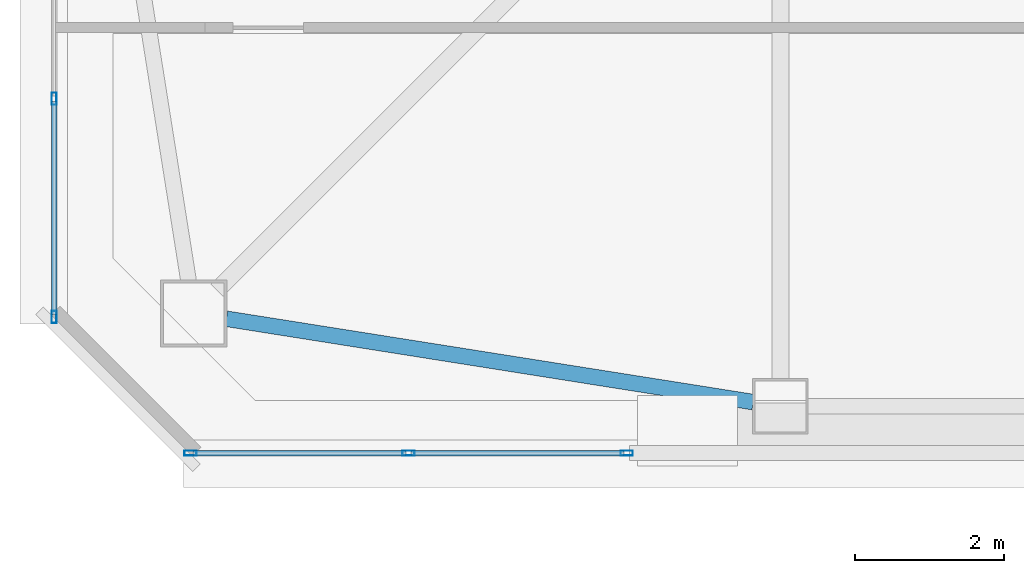
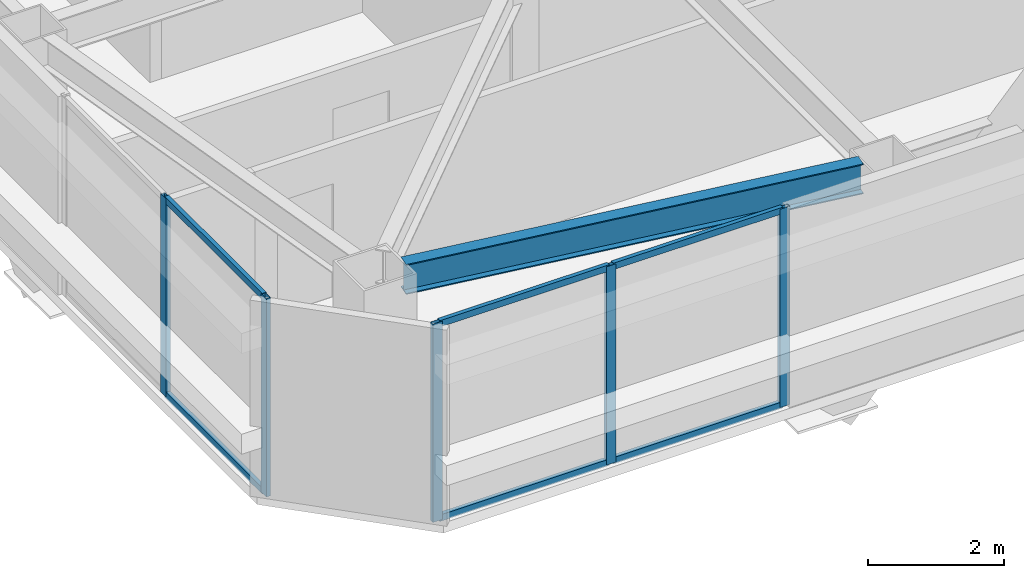
# One storey, part 2 of 24: 11 members, 1 beam, 2 elements without a shape of their own.
"""IFC4 building model written with IfcOpenShell, lengths in metres."""

from ifc_helpers import new_model, si_unit, direction, frame, origin, origin_2d, place, context, subcontext, project, spatial, hollow_rectangle, i_section, extrude, material, material_profile, profile_set, type_object, element, aggregate, save


model = new_model("IFC4")

# Units and contexts
model_context = context("Model", 3, precision=1e-05, world=origin(), true_north=direction((0.0, 1.0)))
body_context = subcontext(model_context, "Body", "Model", "MODEL_VIEW")
ifc_project = project(units=[si_unit("LENGTHUNIT", "METRE"), si_unit("AREAUNIT", "SQUARE_METRE"), si_unit("VOLUMEUNIT", "CUBIC_METRE"), si_unit("PLANEANGLEUNIT", "RADIAN"), si_unit("MASSUNIT", "GRAM", prefix="KILO")], contexts=[model_context])

# Site, building, storey
site_placement = place(None, origin())
site = spatial("IfcSite", under=ifc_project, at=site_placement, CompositionType="ELEMENT")
building_placement = place(site_placement, origin())
building = spatial("IfcBuilding", under=site, at=building_placement, Name="Tashvorn Skyway Center", CompositionType="ELEMENT")
storey_placement = place(building_placement, frame((0.0, 0.0, 270.5)))
storey = spatial("IfcBuildingStorey", under=building, at=storey_placement, Name="L73", CompositionType="ELEMENT", Elevation=270.5)

# Beam
ifc_material_1 = material(Name="Steel ASTM A992 Grade 50", Category="steel")
ifc_material_profile_1 = material_profile(ifc_material_1, i_section(OverallWidth=0.2109375, OverallDepth=0.5390625, WebThickness=0.01171875, FlangeThickness=0.018798828125, at=origin_2d()), Name="W21X73")
ifc_profile_set_1 = profile_set([ifc_material_profile_1], Name="Steel ASTM A992 Grade 50")
beam_type = type_object("IfcBeamType", Name="BM-SPANDREL-W21X73", PredefinedType="SPANDREL", material=ifc_profile_set_1)
beam_placement = place(storey_placement, frame((29.1396484375, 18.63037109375, 3.1005859375), z_axis=(0.987713587978, -0.156274976, 0.0), x_axis=(0.156274976, 0.987713587978, 0.0)))
element("IfcBeam", 1, at=beam_placement, inside=storey, type_object=beam_type, Name="Tower 1 L73 Spandrel Beam 01", PredefinedType="SPANDREL", context=body_context, shape_type="SweptSolid", body=[
    extrude(i_section(OverallWidth=0.2109375, OverallDepth=0.5390625, WebThickness=0.01171875, FlangeThickness=0.018798828125, at=origin_2d()), origin(), (0.0, 0.0, 1.0), 7.18310546875),
])

# Curtain wall, members
ifc_material_2 = material(Name="Thermally broken bronze-anodized aluminium 6063-T6", Category="aluminium")
curtain_wall_type = type_object("IfcCurtainWallType", Name="CW-CW-Z5", PredefinedType="NOTDEFINED", material=ifc_material_2)
curtain_wall_1_placement = place(storey_placement, origin())
curtain_wall_1 = element("IfcCurtainWall", 2, at=curtain_wall_1_placement, inside=storey, type_object=curtain_wall_type, Name="Tower 1 L73 South Unitised Curtain Wall Glazing Group 3", PredefinedType="NOTDEFINED")
ifc_material_profile_2 = material_profile(ifc_material_2, hollow_rectangle(XDim=0.070068359375, YDim=0.1650390625, WallThickness=0.00390625, at=origin_2d()), Name="ALU-MULL-70x165")
ifc_profile_set_2 = profile_set([ifc_material_profile_2], Name="Thermally broken bronze-anodized aluminium 6063-T6")
member_type_1 = type_object("IfcMemberType", Name="CWM-CW-Z5", PredefinedType="MULLION", material=ifc_profile_set_2)
member_1_placement = place(storey_placement, frame((34.53173828125, 16.820068359375, 0.0), z_axis=(0.0, 0.0, 1.0), x_axis=(0.0, -1.0, 0.0)))
member_1 = element("IfcMember", 3, at=member_1_placement, type_object=member_type_1, Name="CW-Z5 mullion 1", PredefinedType="MULLION", context=body_context, shape_type="SweptSolid", body=[
    extrude(hollow_rectangle(XDim=0.070068359375, YDim=0.1650390625, WallThickness=0.00390625, at=origin_2d()), origin(), (0.0, 0.0, 1.0), 3.550048828125),
])
member_2_placement = place(storey_placement, frame((31.59326171875, 16.820068359375, 0.0), z_axis=(0.0, 0.0, 1.0), x_axis=(0.0, -1.0, 0.0)))
member_2 = element("IfcMember", 4, at=member_2_placement, type_object=member_type_1, Name="CW-Z5 mullion 2", PredefinedType="MULLION", context=body_context, shape_type="SweptSolid", body=[
    extrude(hollow_rectangle(XDim=0.070068359375, YDim=0.1650390625, WallThickness=0.00390625, at=origin_2d()), origin(), (0.0, 0.0, 1.0), 3.550048828125),
])
member_3_placement = place(storey_placement, frame((28.655029296875, 16.820068359375, 0.0), z_axis=(0.0, 0.0, 1.0), x_axis=(0.0, -1.0, 0.0)))
member_3 = element("IfcMember", 5, at=member_3_placement, type_object=member_type_1, Name="CW-Z5 mullion 3", PredefinedType="MULLION", context=body_context, shape_type="SweptSolid", body=[
    extrude(hollow_rectangle(XDim=0.070068359375, YDim=0.1650390625, WallThickness=0.00390625, at=origin_2d()), origin(), (0.0, 0.0, 1.0), 3.550048828125),
])

curtain_wall_2_placement = place(storey_placement, origin())
curtain_wall_2 = element("IfcCurtainWall", 6, at=curtain_wall_2_placement, inside=storey, type_object=curtain_wall_type, Name="Tower 1 L73 West Unitised Curtain Wall Glazing Group 1", PredefinedType="NOTDEFINED")
member_4_placement = place(storey_placement, frame((26.820068359375, 18.655029296875, 0.0), z_axis=(0.0, 0.0, 1.0), x_axis=(-1.0, 0.0, 0.0)))
member_4 = element("IfcMember", 7, at=member_4_placement, type_object=member_type_1, Name="CW-Z5 mullion 1", PredefinedType="MULLION", context=body_context, shape_type="SweptSolid", body=[
    extrude(hollow_rectangle(XDim=0.070068359375, YDim=0.1650390625, WallThickness=0.00390625, at=origin_2d()), origin(), (0.0, 0.0, 1.0), 3.550048828125),
])
member_5_placement = place(storey_placement, frame((26.820068359375, 21.59326171875, 0.0), z_axis=(0.0, 0.0, 1.0), x_axis=(-1.0, 0.0, 0.0)))
member_5 = element("IfcMember", 8, at=member_5_placement, type_object=member_type_1, Name="CW-Z5 mullion 2", PredefinedType="MULLION", context=body_context, shape_type="SweptSolid", body=[
    extrude(hollow_rectangle(XDim=0.070068359375, YDim=0.1650390625, WallThickness=0.00390625, at=origin_2d()), origin(), (0.0, 0.0, 1.0), 3.550048828125),
])

# Member
ifc_material_profile_3 = material_profile(ifc_material_2, hollow_rectangle(XDim=0.070068359375, YDim=0.114990234375, WallThickness=0.00390625, at=origin_2d()), Name="ALU-TRAN-70x115")
ifc_profile_set_3 = profile_set([ifc_material_profile_3], Name="Thermally broken bronze-anodized aluminium 6063-T6")
member_type_2 = type_object("IfcMemberType", Name="CWT-CW-Z5", PredefinedType="USERDEFINED", material=ifc_profile_set_3)
member_6_placement = place(storey_placement, frame((34.49658203125, 16.820068359375, 0.034912109375), z_axis=(-1.0, 0.0, 0.0), x_axis=(0.0, -1.0, 0.0)))
member_6 = element("IfcMember", 9, at=member_6_placement, type_object=member_type_2, Name="CW-Z5 transom 1.1", ObjectType="TRANSOM", PredefinedType="USERDEFINED", context=body_context, shape_type="SweptSolid", body=[
    extrude(hollow_rectangle(XDim=0.070068359375, YDim=0.114990234375, WallThickness=0.00390625, at=origin_2d()), origin(), (0.0, 0.0, 1.0), 2.8681640625),
])

member_7_placement = place(storey_placement, frame((34.49658203125, 16.820068359375, 3.514892578125), z_axis=(-1.0, 0.0, 0.0), x_axis=(0.0, -1.0, 0.0)))
member_7 = element("IfcMember", 10, at=member_7_placement, type_object=member_type_2, Name="CW-Z5 transom 1.2", ObjectType="TRANSOM", PredefinedType="USERDEFINED", context=body_context, shape_type="SweptSolid", body=[
    extrude(hollow_rectangle(XDim=0.070068359375, YDim=0.114990234375, WallThickness=0.00390625, at=origin_2d()), origin(), (0.0, 0.0, 1.0), 2.8681640625),
])

member_8_placement = place(storey_placement, frame((31.558349609375, 16.820068359375, 0.034912109375), z_axis=(-1.0, 0.0, 0.0), x_axis=(0.0, -1.0, 0.0)))
member_8 = element("IfcMember", 11, at=member_8_placement, type_object=member_type_2, Name="CW-Z5 transom 2.1", ObjectType="TRANSOM", PredefinedType="USERDEFINED", context=body_context, shape_type="SweptSolid", body=[
    extrude(hollow_rectangle(XDim=0.070068359375, YDim=0.114990234375, WallThickness=0.00390625, at=origin_2d()), origin(), (0.0, 0.0, 1.0), 2.868408203125),
])

member_9_placement = place(storey_placement, frame((31.558349609375, 16.820068359375, 3.514892578125), z_axis=(-1.0, 0.0, 0.0), x_axis=(0.0, -1.0, 0.0)))
member_9 = element("IfcMember", 12, at=member_9_placement, type_object=member_type_2, Name="CW-Z5 transom 2.2", ObjectType="TRANSOM", PredefinedType="USERDEFINED", context=body_context, shape_type="SweptSolid", body=[
    extrude(hollow_rectangle(XDim=0.070068359375, YDim=0.114990234375, WallThickness=0.00390625, at=origin_2d()), origin(), (0.0, 0.0, 1.0), 2.868408203125),
])

aggregate(curtain_wall_1, [member_1, member_2, member_3, member_6, member_7, member_8, member_9])

member_10_placement = place(storey_placement, frame((26.820068359375, 18.68994140625, 0.034912109375), z_axis=(0.0, 1.0, 0.0), x_axis=(-1.0, 0.0, 0.0)))
member_10 = element("IfcMember", 13, at=member_10_placement, type_object=member_type_2, Name="CW-Z5 transom 1.1", ObjectType="TRANSOM", PredefinedType="USERDEFINED", context=body_context, shape_type="SweptSolid", body=[
    extrude(hollow_rectangle(XDim=0.070068359375, YDim=0.114990234375, WallThickness=0.00390625, at=origin_2d()), origin(), (0.0, 0.0, 1.0), 2.868408203125),
])

member_11_placement = place(storey_placement, frame((26.820068359375, 18.68994140625, 3.514892578125), z_axis=(0.0, 1.0, 0.0), x_axis=(-1.0, 0.0, 0.0)))
member_11 = element("IfcMember", 14, at=member_11_placement, type_object=member_type_2, Name="CW-Z5 transom 1.2", ObjectType="TRANSOM", PredefinedType="USERDEFINED", context=body_context, shape_type="SweptSolid", body=[
    extrude(hollow_rectangle(XDim=0.070068359375, YDim=0.114990234375, WallThickness=0.00390625, at=origin_2d()), origin(), (0.0, 0.0, 1.0), 2.868408203125),
])

aggregate(curtain_wall_2, [member_4, member_5, member_10, member_11])

save(model, "model.ifc")
